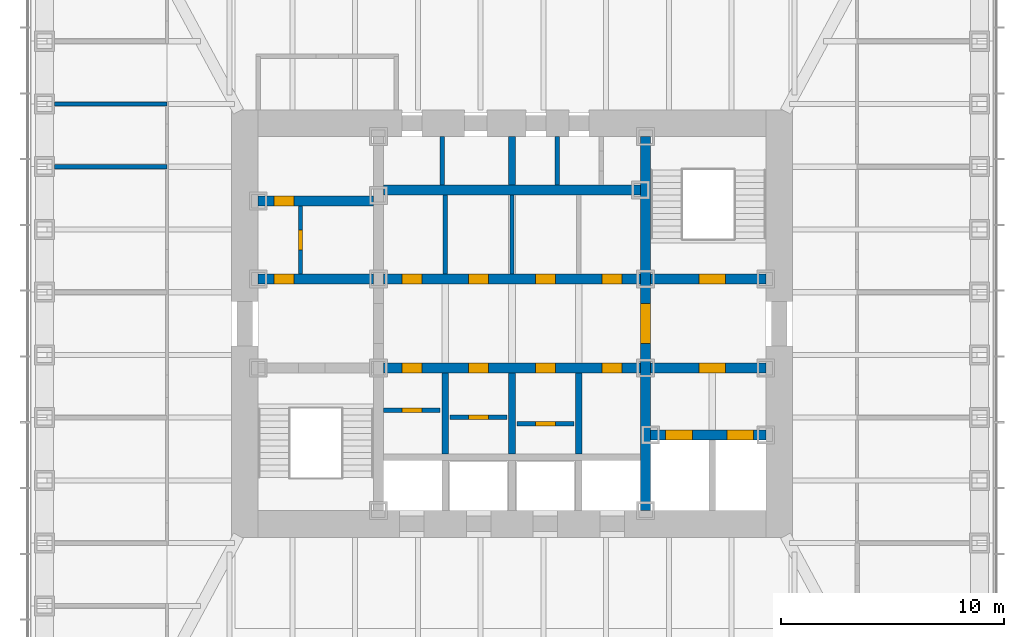
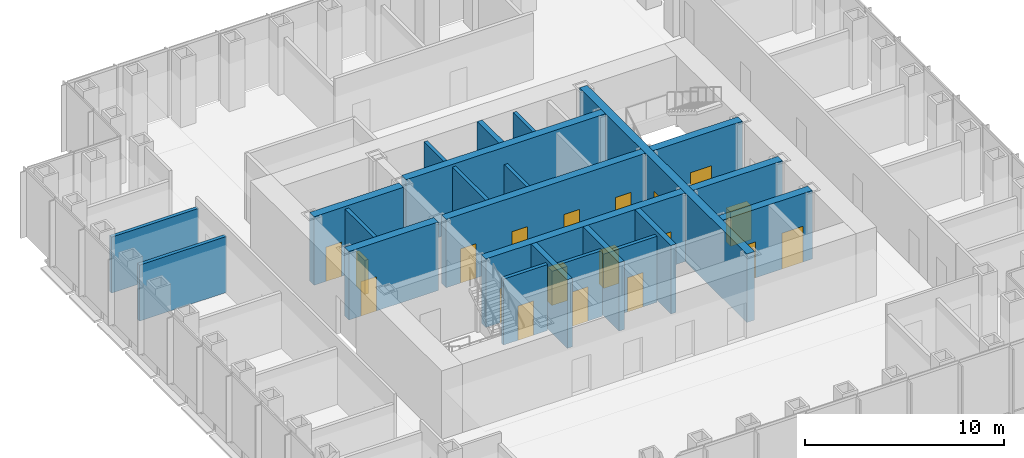
# One storey, part 9 of 17: 23 walls, 19 doors, 19 openings.
"""IFC4 building model written with IfcOpenShell, lengths in metres."""

from ifc_helpers import new_model, si_unit, direction, frame, frame_2d, origin, place, context, subcontext, project, spatial, rectangle, extrude, material, layer, layer_set, type_object, element, fill, save


model = new_model("IFC4")

# Units and contexts
model_context = context("Model", 3, precision=1e-05, world=origin(), true_north=direction((0.0, 1.0)))
body_context = subcontext(model_context, "Body", "Model", "MODEL_VIEW")
ifc_project = project(units=[si_unit("LENGTHUNIT", "METRE"), si_unit("AREAUNIT", "SQUARE_METRE"), si_unit("VOLUMEUNIT", "CUBIC_METRE"), si_unit("PLANEANGLEUNIT", "RADIAN"), si_unit("MASSUNIT", "GRAM", prefix="KILO")], contexts=[model_context])

# Site, building, storey
site_placement = place(None, origin())
site = spatial("IfcSite", under=ifc_project, at=site_placement, CompositionType="ELEMENT")
building_placement = place(site_placement, origin())
building = spatial("IfcBuilding", under=site, at=building_placement, Name="Daluyong Arena Tower", CompositionType="ELEMENT")
storey_placement = place(building_placement, frame((0.0, 0.0, 193.89990234375)))
storey = spatial("IfcBuildingStorey", under=building, at=storey_placement, Name="L43", CompositionType="ELEMENT", Elevation=193.89990234375)

# Wall, opening, door
ifc_material_1 = material(Name="Concrete fc' 45 MPa", Category="concrete")
ifc_layer_1 = layer(ifc_material_1, 0.449951171875)
ifc_layer_set_1 = layer_set([ifc_layer_1], Name="Concrete fc' 45 MPa")
wall_type_1 = type_object("IfcWallType", Name="Core inner wall 450", PredefinedType="SHEAR", material=ifc_layer_set_1)
wall_1_placement = place(storey_placement, frame((62.0, 71.60009765625, 0.0), z_axis=(0.0, 0.0, 1.0), x_axis=(0.0, 1.0, 0.0)))
wall_1 = element("IfcWall", 1, at=wall_1_placement, inside=storey, type_object=wall_type_1, Name="core inner wall at L43", PredefinedType="SHEAR", context=body_context, shape_type="SweptSolid", body=[
    extrude(rectangle(XDim=16.7998046875, YDim=0.449951171875, at=frame_2d((8.39990234375, 0.0))), origin(), (0.0, 0.0, 1.0), 4.2001953125),
])
opening_1_placement = place(wall_1_placement, frame((7.5, 0.0, 0.0)))
opening_1 = element("IfcOpeningElement", 2, at=opening_1_placement, cuts=wall_1, Name="Opening 43025", PredefinedType="OPENING", context=body_context, shape_type="SweptSolid", body=[
    extrude(rectangle(XDim=1.800048828125, YDim=2.39990234375, at=frame_2d((0.89990234375, 1.199951171875))), frame((0.0, 0.23486328125, 0.0), z_axis=(0.0, -1.0, 0.0), x_axis=(1.0, 0.0, 0.0)), (0.0, 0.0, 1.0), 0.469970703125),
])
ifc_material_2 = material(Name="Steel door, fire rated", Category="steel")
door_type_1 = type_object("IfcDoorType", Name="Lift lobby opening door 1800", OperationType="DOUBLE_DOOR_SINGLE_SWING", PredefinedType="DOOR", material=ifc_material_2)
door_1_placement = place(opening_1_placement, origin())
door_1 = element("IfcDoor", 3, at=door_1_placement, inside=storey, type_object=door_type_1, Name="lift lobby door east 43025", OperationType="DOUBLE_DOOR_SINGLE_SWING", OverallHeight=2.39990234375, OverallWidth=1.800048828125, PredefinedType="DOOR", context=body_context, shape_type="SweptSolid", body=[
    extrude(rectangle(XDim=1.800048828125, YDim=2.39990234375, at=frame_2d((0.89990234375, 1.199951171875))), frame((0.0, 0.224609375, 0.0), z_axis=(0.0, -1.0, 0.0), x_axis=(1.0, 0.0, 0.0)), (0.0, 0.0, 1.0), 0.449462890625),
])
fill(opening_1, door_1)

wall_2_placement = place(storey_placement, frame((44.60009765625, 82.0, 0.0), z_axis=(0.0, 0.0, 1.0), x_axis=(1.0, 0.0, 0.0)))
wall_2 = element("IfcWall", 4, at=wall_2_placement, inside=storey, type_object=wall_type_1, Name="core inner wall at L43", PredefinedType="SHEAR", context=body_context, shape_type="SweptSolid", body=[
    extrude(rectangle(XDim=5.1748046875, YDim=0.449951171875, at=frame_2d((2.58740234375, 0.0))), origin(), (0.0, 0.0, 1.0), 4.2001953125),
])
opening_2_placement = place(wall_2_placement, frame((0.699951171875, 0.0, 0.0)))
opening_2 = element("IfcOpeningElement", 5, at=opening_2_placement, cuts=wall_2, Name="Opening 43001", PredefinedType="OPENING", context=body_context, shape_type="SweptSolid", body=[
    extrude(rectangle(XDim=0.89990234375, YDim=2.10009765625, at=frame_2d((0.449951171875, 1.050048828125))), frame((0.0, 0.23486328125, 0.0), z_axis=(0.0, -1.0, 0.0), x_axis=(1.0, 0.0, 0.0)), (0.0, 0.0, 1.0), 0.469970703125),
])
ifc_material_3 = material(Name="Steel door, fire rated", Category="steel")
door_type_2 = type_object("IfcDoorType", Name="Core room door 900", OperationType="SINGLE_SWING_LEFT", PredefinedType="DOOR", material=ifc_material_3)
door_2_placement = place(opening_2_placement, origin())
door_2 = element("IfcDoor", 6, at=door_2_placement, inside=storey, type_object=door_type_2, Name="toilet lobby door 43001", OperationType="SINGLE_SWING_LEFT", OverallHeight=2.10009765625, OverallWidth=0.89990234375, PredefinedType="DOOR", context=body_context, shape_type="SweptSolid", body=[
    extrude(rectangle(XDim=0.89990234375, YDim=2.10009765625, at=frame_2d((0.449951171875, 1.050048828125))), frame((0.0, 0.224609375, 0.0), z_axis=(0.0, -1.0, 0.0), x_axis=(1.0, 0.0, 0.0)), (0.0, 0.0, 1.0), 0.449462890625),
])
fill(opening_2, door_2)

wall_3_placement = place(storey_placement, frame((44.60009765625, 85.5, 0.0), z_axis=(0.0, 0.0, 1.0), x_axis=(1.0, 0.0, 0.0)))
wall_3 = element("IfcWall", 7, at=wall_3_placement, inside=storey, type_object=wall_type_1, Name="core inner wall at L43", PredefinedType="SHEAR", context=body_context, shape_type="SweptSolid", body=[
    extrude(rectangle(XDim=5.1748046875, YDim=0.449951171875, at=frame_2d((2.58740234375, 0.0))), origin(), (0.0, 0.0, 1.0), 4.2001953125),
])
opening_3_placement = place(wall_3_placement, frame((0.699951171875, 0.0, 0.0)))
opening_3 = element("IfcOpeningElement", 8, at=opening_3_placement, cuts=wall_3, Name="Opening 43003", PredefinedType="OPENING", context=body_context, shape_type="SweptSolid", body=[
    extrude(rectangle(XDim=0.89990234375, YDim=2.10009765625, at=frame_2d((0.449951171875, 1.050048828125))), frame((0.0, 0.23486328125, 0.0), z_axis=(0.0, -1.0, 0.0), x_axis=(1.0, 0.0, 0.0)), (0.0, 0.0, 1.0), 0.469970703125),
])
ifc_material_4 = material(Name="Timber door", Category="wood")
door_type_3 = type_object("IfcDoorType", Name="Toilet door 900", OperationType="SINGLE_SWING_RIGHT", PredefinedType="DOOR", material=ifc_material_4)
door_3_placement = place(opening_3_placement, origin())
door_3 = element("IfcDoor", 9, at=door_3_placement, inside=storey, type_object=door_type_3, Name="female toilet door 43003", OperationType="SINGLE_SWING_RIGHT", OverallHeight=2.10009765625, OverallWidth=0.89990234375, PredefinedType="DOOR", context=body_context, shape_type="SweptSolid", body=[
    extrude(rectangle(XDim=0.89990234375, YDim=2.10009765625, at=frame_2d((0.449951171875, 1.050048828125))), frame((0.0, 0.224609375, 0.0), z_axis=(0.0, -1.0, 0.0), x_axis=(1.0, 0.0, 0.0)), (0.0, 0.0, 1.0), 0.449462890625),
])
fill(opening_3, door_3)

# Wall, openings, doors
wall_4_placement = place(storey_placement, frame((62.22509765625, 75.0, 0.0), z_axis=(0.0, 0.0, 1.0), x_axis=(1.0, 0.0, 0.0)))
wall_4 = element("IfcWall", 10, at=wall_4_placement, inside=storey, type_object=wall_type_1, Name="core inner wall at L43", PredefinedType="SHEAR", context=body_context, shape_type="SweptSolid", body=[
    extrude(rectangle(XDim=5.1748046875, YDim=0.449951171875, at=frame_2d((2.58740234375, 0.0))), origin(), (0.0, 0.0, 1.0), 4.2001953125),
])
opening_4_placement = place(wall_4_placement, frame((0.675048828125, 0.0, 0.0)))
opening_4 = element("IfcOpeningElement", 11, at=opening_4_placement, cuts=wall_4, Name="Opening 43031", PredefinedType="OPENING", context=body_context, shape_type="SweptSolid", body=[
    extrude(rectangle(XDim=1.199951171875, YDim=2.199951171875, at=frame_2d((0.60009765625, 1.10009765625))), frame((0.0, 0.23486328125, 0.0), z_axis=(0.0, -1.0, 0.0), x_axis=(1.0, 0.0, 0.0)), (0.0, 0.0, 1.0), 0.469970703125),
])
opening_5_placement = place(wall_4_placement, frame((3.425048828125, 0.0, 0.0)))
opening_5 = element("IfcOpeningElement", 12, at=opening_5_placement, cuts=wall_4, Name="Opening 43032", PredefinedType="OPENING", context=body_context, shape_type="SweptSolid", body=[
    extrude(rectangle(XDim=1.199951171875, YDim=2.199951171875, at=frame_2d((0.60009765625, 1.10009765625))), frame((0.0, 0.23486328125, 0.0), z_axis=(0.0, -1.0, 0.0), x_axis=(1.0, 0.0, 0.0)), (0.0, 0.0, 1.0), 0.469970703125),
])
ifc_material_5 = material(Name="Steel door, fire rated", Category="steel")
door_type_4 = type_object("IfcDoorType", Name="Firefighting lift landing door 1200", OperationType="SLIDING_TO_LEFT", PredefinedType="DOOR", material=ifc_material_5)
door_4_placement = place(opening_4_placement, origin())
door_4 = element("IfcDoor", 13, at=door_4_placement, inside=storey, type_object=door_type_4, Name="firefighting lift landing door F1 43031", OperationType="SLIDING_TO_LEFT", OverallHeight=2.199951171875, OverallWidth=1.199951171875, PredefinedType="DOOR", context=body_context, shape_type="SweptSolid", body=[
    extrude(rectangle(XDim=1.199951171875, YDim=2.199951171875, at=frame_2d((0.60009765625, 1.10009765625))), frame((0.0, 0.224609375, 0.0), z_axis=(0.0, -1.0, 0.0), x_axis=(1.0, 0.0, 0.0)), (0.0, 0.0, 1.0), 0.449462890625),
])
fill(opening_4, door_4)
door_5_placement = place(opening_5_placement, origin())
door_5 = element("IfcDoor", 14, at=door_5_placement, inside=storey, type_object=door_type_4, Name="firefighting lift landing door F2 43032", OperationType="SLIDING_TO_LEFT", OverallHeight=2.199951171875, OverallWidth=1.199951171875, PredefinedType="DOOR", context=body_context, shape_type="SweptSolid", body=[
    extrude(rectangle(XDim=1.199951171875, YDim=2.199951171875, at=frame_2d((0.60009765625, 1.10009765625))), frame((0.0, 0.224609375, 0.0), z_axis=(0.0, -1.0, 0.0), x_axis=(1.0, 0.0, 0.0)), (0.0, 0.0, 1.0), 0.449462890625),
])
fill(opening_5, door_5)

# Wall, opening, door
wall_5_placement = place(storey_placement, frame((62.22509765625, 78.0, 0.0), z_axis=(0.0, 0.0, 1.0), x_axis=(1.0, 0.0, 0.0)))
wall_5 = element("IfcWall", 15, at=wall_5_placement, inside=storey, type_object=wall_type_1, Name="core inner wall at L43", PredefinedType="SHEAR", context=body_context, shape_type="SweptSolid", body=[
    extrude(rectangle(XDim=5.1748046875, YDim=0.449951171875, at=frame_2d((2.58740234375, 0.0))), origin(), (0.0, 0.0, 1.0), 4.2001953125),
])
opening_6_placement = place(wall_5_placement, frame((2.175048828125, 0.0, 0.0)))
opening_6 = element("IfcOpeningElement", 16, at=opening_6_placement, cuts=wall_5, Name="Opening 43026", PredefinedType="OPENING", context=body_context, shape_type="SweptSolid", body=[
    extrude(rectangle(XDim=1.199951171875, YDim=2.10009765625, at=frame_2d((0.60009765625, 1.050048828125))), frame((0.0, 0.23486328125, 0.0), z_axis=(0.0, -1.0, 0.0), x_axis=(1.0, 0.0, 0.0)), (0.0, 0.0, 1.0), 0.469970703125),
])
ifc_material_6 = material(Name="Steel door, fire rated", Category="steel")
door_type_5 = type_object("IfcDoorType", Name="Firefighting lobby door 1200", OperationType="SINGLE_SWING_RIGHT", PredefinedType="DOOR", material=ifc_material_6)
door_6_placement = place(opening_6_placement, origin())
door_6 = element("IfcDoor", 17, at=door_6_placement, inside=storey, type_object=door_type_5, Name="firefighting lobby door 43026", OperationType="SINGLE_SWING_RIGHT", OverallHeight=2.10009765625, OverallWidth=1.199951171875, PredefinedType="DOOR", context=body_context, shape_type="SweptSolid", body=[
    extrude(rectangle(XDim=1.199951171875, YDim=2.10009765625, at=frame_2d((0.60009765625, 1.050048828125))), frame((0.0, 0.224609375, 0.0), z_axis=(0.0, -1.0, 0.0), x_axis=(1.0, 0.0, 0.0)), (0.0, 0.0, 1.0), 0.449462890625),
])
fill(opening_6, door_6)

wall_6_placement = place(storey_placement, frame((62.22509765625, 82.0, 0.0), z_axis=(0.0, 0.0, 1.0), x_axis=(1.0, 0.0, 0.0)))
wall_6 = element("IfcWall", 18, at=wall_6_placement, inside=storey, type_object=wall_type_1, Name="core inner wall at L43", PredefinedType="SHEAR", context=body_context, shape_type="SweptSolid", body=[
    extrude(rectangle(XDim=5.1748046875, YDim=0.449951171875, at=frame_2d((2.58740234375, 0.0))), origin(), (0.0, 0.0, 1.0), 4.2001953125),
])
opening_7_placement = place(wall_6_placement, frame((2.175048828125, 0.0, 0.0)))
opening_7 = element("IfcOpeningElement", 19, at=opening_7_placement, cuts=wall_6, Name="Opening 43021", PredefinedType="OPENING", context=body_context, shape_type="SweptSolid", body=[
    extrude(rectangle(XDim=1.199951171875, YDim=2.10009765625, at=frame_2d((0.60009765625, 1.050048828125))), frame((0.0, 0.23486328125, 0.0), z_axis=(0.0, -1.0, 0.0), x_axis=(1.0, 0.0, 0.0)), (0.0, 0.0, 1.0), 0.469970703125),
])
ifc_material_7 = material(Name="Steel door, fire rated", Category="steel")
door_type_6 = type_object("IfcDoorType", Name="Stair door 1200", OperationType="SINGLE_SWING_LEFT", PredefinedType="DOOR", material=ifc_material_7)
door_7_placement = place(opening_7_placement, origin())
door_7 = element("IfcDoor", 20, at=door_7_placement, inside=storey, type_object=door_type_6, Name="stair B door 43021", OperationType="SINGLE_SWING_LEFT", OverallHeight=2.10009765625, OverallWidth=1.199951171875, PredefinedType="DOOR", context=body_context, shape_type="SweptSolid", body=[
    extrude(rectangle(XDim=1.199951171875, YDim=2.10009765625, at=frame_2d((0.60009765625, 1.050048828125))), frame((0.0, 0.224609375, 0.0), z_axis=(0.0, -1.0, 0.0), x_axis=(1.0, 0.0, 0.0)), (0.0, 0.0, 1.0), 0.449462890625),
])
fill(opening_7, door_7)

# Wall, openings, doors
wall_7_placement = place(storey_placement, frame((50.22509765625, 78.0, 0.0), z_axis=(0.0, 0.0, 1.0), x_axis=(1.0, 0.0, 0.0)))
wall_7 = element("IfcWall", 21, at=wall_7_placement, inside=storey, type_object=wall_type_1, Name="core inner wall at L43", PredefinedType="SHEAR", context=body_context, shape_type="SweptSolid", body=[
    extrude(rectangle(XDim=11.5498046875, YDim=0.449951171875, at=frame_2d((5.77490234375, 0.0))), origin(), (0.0, 0.0, 1.0), 4.2001953125),
])
opening_8_placement = place(wall_7_placement, frame((0.824951171875, 0.0, 0.0)))
opening_8 = element("IfcOpeningElement", 22, at=opening_8_placement, cuts=wall_7, Name="Opening 43009", PredefinedType="OPENING", context=body_context, shape_type="SweptSolid", body=[
    extrude(rectangle(XDim=0.89990234375, YDim=2.10009765625, at=frame_2d((0.449951171875, 1.050048828125))), frame((0.0, 0.23486328125, 0.0), z_axis=(0.0, -1.0, 0.0), x_axis=(1.0, 0.0, 0.0)), (0.0, 0.0, 1.0), 0.469970703125),
])
opening_9_placement = place(wall_7_placement, frame((3.824951171875, 0.0, 0.0)))
opening_9 = element("IfcOpeningElement", 23, at=opening_9_placement, cuts=wall_7, Name="Opening 43011", PredefinedType="OPENING", context=body_context, shape_type="SweptSolid", body=[
    extrude(rectangle(XDim=0.89990234375, YDim=2.10009765625, at=frame_2d((0.449951171875, 1.050048828125))), frame((0.0, 0.23486328125, 0.0), z_axis=(0.0, -1.0, 0.0), x_axis=(1.0, 0.0, 0.0)), (0.0, 0.0, 1.0), 0.469970703125),
])
opening_10_placement = place(wall_7_placement, frame((6.824951171875, 0.0, 0.0)))
opening_10 = element("IfcOpeningElement", 24, at=opening_10_placement, cuts=wall_7, Name="Opening 43013", PredefinedType="OPENING", context=body_context, shape_type="SweptSolid", body=[
    extrude(rectangle(XDim=0.89990234375, YDim=2.10009765625, at=frame_2d((0.449951171875, 1.050048828125))), frame((0.0, 0.23486328125, 0.0), z_axis=(0.0, -1.0, 0.0), x_axis=(1.0, 0.0, 0.0)), (0.0, 0.0, 1.0), 0.469970703125),
])
opening_11_placement = place(wall_7_placement, frame((9.824951171875, 0.0, 0.0)))
opening_11 = element("IfcOpeningElement", 25, at=opening_11_placement, cuts=wall_7, Name="Opening 43015", PredefinedType="OPENING", context=body_context, shape_type="SweptSolid", body=[
    extrude(rectangle(XDim=0.89990234375, YDim=2.10009765625, at=frame_2d((0.449951171875, 1.050048828125))), frame((0.0, 0.23486328125, 0.0), z_axis=(0.0, -1.0, 0.0), x_axis=(1.0, 0.0, 0.0)), (0.0, 0.0, 1.0), 0.469970703125),
])
door_8_placement = place(opening_11_placement, origin())
door_8 = element("IfcDoor", 26, at=door_8_placement, inside=storey, type_object=door_type_2, Name="mail room door 43015", OperationType="SINGLE_SWING_LEFT", OverallHeight=2.10009765625, OverallWidth=0.89990234375, PredefinedType="DOOR", context=body_context, shape_type="SweptSolid", body=[
    extrude(rectangle(XDim=0.89990234375, YDim=2.10009765625, at=frame_2d((0.449951171875, 1.050048828125))), frame((0.0, 0.224609375, 0.0), z_axis=(0.0, -1.0, 0.0), x_axis=(1.0, 0.0, 0.0)), (0.0, 0.0, 1.0), 0.449462890625),
])
fill(opening_11, door_8)
ifc_material_8 = material(Name="Steel door, fire rated", Category="steel")
door_type_7 = type_object("IfcDoorType", Name="Core store door 900", OperationType="SINGLE_SWING_LEFT", PredefinedType="DOOR", material=ifc_material_8)
door_9_placement = place(opening_8_placement, origin())
door_9 = element("IfcDoor", 27, at=door_9_placement, inside=storey, type_object=door_type_7, Name="facilities store door 43009", OperationType="SINGLE_SWING_LEFT", OverallHeight=2.10009765625, OverallWidth=0.89990234375, PredefinedType="DOOR", context=body_context, shape_type="SweptSolid", body=[
    extrude(rectangle(XDim=0.89990234375, YDim=2.10009765625, at=frame_2d((0.449951171875, 1.050048828125))), frame((0.0, 0.224609375, 0.0), z_axis=(0.0, -1.0, 0.0), x_axis=(1.0, 0.0, 0.0)), (0.0, 0.0, 1.0), 0.449462890625),
])
fill(opening_8, door_9)
door_10_placement = place(opening_9_placement, origin())
door_10 = element("IfcDoor", 28, at=door_10_placement, inside=storey, type_object=door_type_7, Name="furniture store door 43011", OperationType="SINGLE_SWING_LEFT", OverallHeight=2.10009765625, OverallWidth=0.89990234375, PredefinedType="DOOR", context=body_context, shape_type="SweptSolid", body=[
    extrude(rectangle(XDim=0.89990234375, YDim=2.10009765625, at=frame_2d((0.449951171875, 1.050048828125))), frame((0.0, 0.224609375, 0.0), z_axis=(0.0, -1.0, 0.0), x_axis=(1.0, 0.0, 0.0)), (0.0, 0.0, 1.0), 0.449462890625),
])
fill(opening_9, door_10)
door_11_placement = place(opening_10_placement, origin())
door_11 = element("IfcDoor", 29, at=door_11_placement, inside=storey, type_object=door_type_7, Name="stationery store door 43013", OperationType="SINGLE_SWING_LEFT", OverallHeight=2.10009765625, OverallWidth=0.89990234375, PredefinedType="DOOR", context=body_context, shape_type="SweptSolid", body=[
    extrude(rectangle(XDim=0.89990234375, YDim=2.10009765625, at=frame_2d((0.449951171875, 1.050048828125))), frame((0.0, 0.224609375, 0.0), z_axis=(0.0, -1.0, 0.0), x_axis=(1.0, 0.0, 0.0)), (0.0, 0.0, 1.0), 0.449462890625),
])
fill(opening_10, door_11)

wall_8_placement = place(storey_placement, frame((50.22509765625, 82.0, 0.0), z_axis=(0.0, 0.0, 1.0), x_axis=(1.0, 0.0, 0.0)))
wall_8 = element("IfcWall", 30, at=wall_8_placement, inside=storey, type_object=wall_type_1, Name="core inner wall at L43", PredefinedType="SHEAR", context=body_context, shape_type="SweptSolid", body=[
    extrude(rectangle(XDim=11.5498046875, YDim=0.449951171875, at=frame_2d((5.77490234375, 0.0))), origin(), (0.0, 0.0, 1.0), 4.2001953125),
])
opening_12_placement = place(wall_8_placement, frame((0.824951171875, 0.0, 0.0)))
opening_12 = element("IfcOpeningElement", 31, at=opening_12_placement, cuts=wall_8, Name="Opening 43016", PredefinedType="OPENING", context=body_context, shape_type="SweptSolid", body=[
    extrude(rectangle(XDim=0.89990234375, YDim=2.10009765625, at=frame_2d((0.449951171875, 1.050048828125))), frame((0.0, 0.23486328125, 0.0), z_axis=(0.0, -1.0, 0.0), x_axis=(1.0, 0.0, 0.0)), (0.0, 0.0, 1.0), 0.469970703125),
])
opening_13_placement = place(wall_8_placement, frame((3.824951171875, 0.0, 0.0)))
opening_13 = element("IfcOpeningElement", 32, at=opening_13_placement, cuts=wall_8, Name="Opening 43017", PredefinedType="OPENING", context=body_context, shape_type="SweptSolid", body=[
    extrude(rectangle(XDim=0.89990234375, YDim=2.10009765625, at=frame_2d((0.449951171875, 1.050048828125))), frame((0.0, 0.23486328125, 0.0), z_axis=(0.0, -1.0, 0.0), x_axis=(1.0, 0.0, 0.0)), (0.0, 0.0, 1.0), 0.469970703125),
])
opening_14_placement = place(wall_8_placement, frame((6.824951171875, 0.0, 0.0)))
opening_14 = element("IfcOpeningElement", 33, at=opening_14_placement, cuts=wall_8, Name="Opening 43018", PredefinedType="OPENING", context=body_context, shape_type="SweptSolid", body=[
    extrude(rectangle(XDim=0.89990234375, YDim=2.10009765625, at=frame_2d((0.449951171875, 1.050048828125))), frame((0.0, 0.23486328125, 0.0), z_axis=(0.0, -1.0, 0.0), x_axis=(1.0, 0.0, 0.0)), (0.0, 0.0, 1.0), 0.469970703125),
])
opening_15_placement = place(wall_8_placement, frame((9.824951171875, 0.0, 0.0)))
opening_15 = element("IfcOpeningElement", 34, at=opening_15_placement, cuts=wall_8, Name="Opening 43019", PredefinedType="OPENING", context=body_context, shape_type="SweptSolid", body=[
    extrude(rectangle(XDim=0.89990234375, YDim=2.10009765625, at=frame_2d((0.449951171875, 1.050048828125))), frame((0.0, 0.23486328125, 0.0), z_axis=(0.0, -1.0, 0.0), x_axis=(1.0, 0.0, 0.0)), (0.0, 0.0, 1.0), 0.469970703125),
])
door_12_placement = place(opening_12_placement, origin())
door_12 = element("IfcDoor", 35, at=door_12_placement, inside=storey, type_object=door_type_2, Name="print room door 43016", OperationType="SINGLE_SWING_LEFT", OverallHeight=2.10009765625, OverallWidth=0.89990234375, PredefinedType="DOOR", context=body_context, shape_type="SweptSolid", body=[
    extrude(rectangle(XDim=0.89990234375, YDim=2.10009765625, at=frame_2d((0.449951171875, 1.050048828125))), frame((0.0, 0.224609375, 0.0), z_axis=(0.0, -1.0, 0.0), x_axis=(1.0, 0.0, 0.0)), (0.0, 0.0, 1.0), 0.449462890625),
])
fill(opening_12, door_12)
door_13_placement = place(opening_13_placement, origin())
door_13 = element("IfcDoor", 36, at=door_13_placement, inside=storey, type_object=door_type_2, Name="parcel room door 43017", OperationType="SINGLE_SWING_LEFT", OverallHeight=2.10009765625, OverallWidth=0.89990234375, PredefinedType="DOOR", context=body_context, shape_type="SweptSolid", body=[
    extrude(rectangle(XDim=0.89990234375, YDim=2.10009765625, at=frame_2d((0.449951171875, 1.050048828125))), frame((0.0, 0.224609375, 0.0), z_axis=(0.0, -1.0, 0.0), x_axis=(1.0, 0.0, 0.0)), (0.0, 0.0, 1.0), 0.449462890625),
])
fill(opening_13, door_13)
door_14_placement = place(opening_15_placement, origin())
door_14 = element("IfcDoor", 37, at=door_14_placement, inside=storey, type_object=door_type_2, Name="tea point door 43019", OperationType="SINGLE_SWING_LEFT", OverallHeight=2.10009765625, OverallWidth=0.89990234375, PredefinedType="DOOR", context=body_context, shape_type="SweptSolid", body=[
    extrude(rectangle(XDim=0.89990234375, YDim=2.10009765625, at=frame_2d((0.449951171875, 1.050048828125))), frame((0.0, 0.224609375, 0.0), z_axis=(0.0, -1.0, 0.0), x_axis=(1.0, 0.0, 0.0)), (0.0, 0.0, 1.0), 0.449462890625),
])
fill(opening_15, door_14)
door_15_placement = place(opening_14_placement, origin())
door_15 = element("IfcDoor", 38, at=door_15_placement, inside=storey, type_object=door_type_7, Name="tenant store door 43018", OperationType="SINGLE_SWING_LEFT", OverallHeight=2.10009765625, OverallWidth=0.89990234375, PredefinedType="DOOR", context=body_context, shape_type="SweptSolid", body=[
    extrude(rectangle(XDim=0.89990234375, YDim=2.10009765625, at=frame_2d((0.449951171875, 1.050048828125))), frame((0.0, 0.224609375, 0.0), z_axis=(0.0, -1.0, 0.0), x_axis=(1.0, 0.0, 0.0)), (0.0, 0.0, 1.0), 0.449462890625),
])
fill(opening_14, door_15)

# Wall
wall_9_placement = place(storey_placement, frame((50.22509765625, 86.0, 0.0), z_axis=(0.0, 0.0, 1.0), x_axis=(1.0, 0.0, 0.0)))
element("IfcWall", 39, at=wall_9_placement, inside=storey, type_object=wall_type_1, Name="core inner wall at L43", PredefinedType="SHEAR", context=body_context, shape_type="SweptSolid", body=[
    extrude(rectangle(XDim=11.5498046875, YDim=0.449951171875, at=frame_2d((5.77490234375, 0.0))), origin(), (0.0, 0.0, 1.0), 4.2001953125),
])

# Wall, opening, door
ifc_material_9 = material(Name="Concrete block partition, fire rated", Category="concrete")
ifc_layer_2 = layer(ifc_material_9, 0.199951171875)
ifc_layer_set_2 = layer_set([ifc_layer_2], Name="Concrete block partition, fire rated")
wall_type_2 = type_object("IfcWallType", Name="Fire-rated partition 200", PredefinedType="PARTITIONING", material=ifc_layer_set_2)
wall_10_placement = place(storey_placement, frame((46.5, 82.22509765625, 0.0), z_axis=(0.0, 0.0, 1.0), x_axis=(0.0, 1.0, 0.0)))
wall_10 = element("IfcWall", 40, at=wall_10_placement, inside=storey, type_object=wall_type_2, Name="toilet lobby partition at L43", PredefinedType="PARTITIONING", context=body_context, shape_type="SweptSolid", body=[
    extrude(rectangle(XDim=3.0498046875, YDim=0.199951171875, at=frame_2d((1.52490234375, 0.0))), origin(), (0.0, 0.0, 1.0), 4.0400390625),
])
opening_16_placement = place(wall_10_placement, frame((1.074951171875, 0.0, 0.0)))
opening_16 = element("IfcOpeningElement", 41, at=opening_16_placement, cuts=wall_10, Name="Opening 43002", PredefinedType="OPENING", context=body_context, shape_type="SweptSolid", body=[
    extrude(rectangle(XDim=0.89990234375, YDim=2.10009765625, at=frame_2d((0.449951171875, 1.050048828125))), frame((0.0, 0.10986328125, 0.0), z_axis=(0.0, -1.0, 0.0), x_axis=(1.0, 0.0, 0.0)), (0.0, 0.0, 1.0), 0.219970703125),
])
door_16_placement = place(opening_16_placement, origin())
door_16 = element("IfcDoor", 42, at=door_16_placement, inside=storey, type_object=door_type_3, Name="male toilet door 43002", OperationType="SINGLE_SWING_RIGHT", OverallHeight=2.10009765625, OverallWidth=0.89990234375, PredefinedType="DOOR", context=body_context, shape_type="SweptSolid", body=[
    extrude(rectangle(XDim=0.89990234375, YDim=2.10009765625, at=frame_2d((0.449951171875, 1.050048828125))), frame((0.0, 0.099609375, 0.0), z_axis=(0.0, -1.0, 0.0), x_axis=(1.0, 0.0, 0.0)), (0.0, 0.0, 1.0), 0.199462890625),
])
fill(opening_16, door_16)

# Walls
for number, where, z_axis, x_axis, name in (
    (43, (52.875, 86.22509765625, 0.0), (0.0, 0.0, 1.0), (0.0, 1.0, 0.0), "core room partition at L43"),
    (44, (58.02490234375, 86.22509765625, 0.0), (0.0, 0.0, 1.0), (0.0, 1.0, 0.0), "core room partition at L43"),
):
    element("IfcWall", number, at=place(storey_placement, frame(where, z_axis=z_axis, x_axis=x_axis)), inside=storey, type_object=wall_type_2, Name=name, PredefinedType="PARTITIONING", context=body_context, shape_type="SweptSolid", body=[
        extrude(rectangle(XDim=2.1748046875, YDim=0.199951171875, at=frame_2d((1.08740234375, 0.0))), origin(), (0.0, 0.0, 1.0), 4.0400390625),
    ])

# Wall, opening, door
wall_11_placement = place(storey_placement, frame((50.22509765625, 76.10009765625, 0.0), z_axis=(0.0, 0.0, 1.0), x_axis=(1.0, 0.0, 0.0)))
wall_11 = element("IfcWall", 45, at=wall_11_placement, inside=storey, type_object=wall_type_2, Name="back store partition at L43", PredefinedType="PARTITIONING", context=body_context, shape_type="SweptSolid", body=[
    extrude(rectangle(XDim=2.5498046875, YDim=0.199951171875, at=frame_2d((1.27490234375, 0.0))), origin(), (0.0, 0.0, 1.0), 4.0400390625),
])
opening_17_placement = place(wall_11_placement, frame((0.824951171875, 0.0, 0.0)))
opening_17 = element("IfcOpeningElement", 46, at=opening_17_placement, cuts=wall_11, Name="Opening 43010", PredefinedType="OPENING", context=body_context, shape_type="SweptSolid", body=[
    extrude(rectangle(XDim=0.89990234375, YDim=2.10009765625, at=frame_2d((0.449951171875, 1.050048828125))), frame((0.0, 0.10986328125, 0.0), z_axis=(0.0, -1.0, 0.0), x_axis=(1.0, 0.0, 0.0)), (0.0, 0.0, 1.0), 0.219970703125),
])
door_17_placement = place(opening_17_placement, origin())
door_17 = element("IfcDoor", 47, at=door_17_placement, inside=storey, type_object=door_type_7, Name="archive store door 43010", OperationType="SINGLE_SWING_LEFT", OverallHeight=2.10009765625, OverallWidth=0.89990234375, PredefinedType="DOOR", context=body_context, shape_type="SweptSolid", body=[
    extrude(rectangle(XDim=0.89990234375, YDim=2.10009765625, at=frame_2d((0.449951171875, 1.050048828125))), frame((0.0, 0.099609375, 0.0), z_axis=(0.0, -1.0, 0.0), x_axis=(1.0, 0.0, 0.0)), (0.0, 0.0, 1.0), 0.199462890625),
])
fill(opening_17, door_17)

wall_12_placement = place(storey_placement, frame((53.22509765625, 75.800048828125, 0.0), z_axis=(0.0, 0.0, 1.0), x_axis=(1.0, 0.0, 0.0)))
wall_12 = element("IfcWall", 48, at=wall_12_placement, inside=storey, type_object=wall_type_2, Name="back store partition at L43", PredefinedType="PARTITIONING", context=body_context, shape_type="SweptSolid", body=[
    extrude(rectangle(XDim=2.5498046875, YDim=0.199951171875, at=frame_2d((1.27490234375, 0.0))), origin(), (0.0, 0.0, 1.0), 4.0400390625),
])
opening_18_placement = place(wall_12_placement, frame((0.824951171875, 0.0, 0.0)))
opening_18 = element("IfcOpeningElement", 49, at=opening_18_placement, cuts=wall_12, Name="Opening 43012", PredefinedType="OPENING", context=body_context, shape_type="SweptSolid", body=[
    extrude(rectangle(XDim=0.89990234375, YDim=2.10009765625, at=frame_2d((0.449951171875, 1.050048828125))), frame((0.0, 0.10986328125, 0.0), z_axis=(0.0, -1.0, 0.0), x_axis=(1.0, 0.0, 0.0)), (0.0, 0.0, 1.0), 0.219970703125),
])
door_18_placement = place(opening_18_placement, origin())
door_18 = element("IfcDoor", 50, at=door_18_placement, inside=storey, type_object=door_type_7, Name="records store door 43012", OperationType="SINGLE_SWING_LEFT", OverallHeight=2.10009765625, OverallWidth=0.89990234375, PredefinedType="DOOR", context=body_context, shape_type="SweptSolid", body=[
    extrude(rectangle(XDim=0.89990234375, YDim=2.10009765625, at=frame_2d((0.449951171875, 1.050048828125))), frame((0.0, 0.099609375, 0.0), z_axis=(0.0, -1.0, 0.0), x_axis=(1.0, 0.0, 0.0)), (0.0, 0.0, 1.0), 0.199462890625),
])
fill(opening_18, door_18)

wall_13_placement = place(storey_placement, frame((56.22509765625, 75.5, 0.0), z_axis=(0.0, 0.0, 1.0), x_axis=(1.0, 0.0, 0.0)))
wall_13 = element("IfcWall", 51, at=wall_13_placement, inside=storey, type_object=wall_type_2, Name="back store partition at L43", PredefinedType="PARTITIONING", context=body_context, shape_type="SweptSolid", body=[
    extrude(rectangle(XDim=2.5498046875, YDim=0.199951171875, at=frame_2d((1.27490234375, 0.0))), origin(), (0.0, 0.0, 1.0), 4.0400390625),
])
opening_19_placement = place(wall_13_placement, frame((0.824951171875, 0.0, 0.0)))
opening_19 = element("IfcOpeningElement", 52, at=opening_19_placement, cuts=wall_13, Name="Opening 43014", PredefinedType="OPENING", context=body_context, shape_type="SweptSolid", body=[
    extrude(rectangle(XDim=0.89990234375, YDim=2.10009765625, at=frame_2d((0.449951171875, 1.050048828125))), frame((0.0, 0.10986328125, 0.0), z_axis=(0.0, -1.0, 0.0), x_axis=(1.0, 0.0, 0.0)), (0.0, 0.0, 1.0), 0.219970703125),
])
door_19_placement = place(opening_19_placement, origin())
door_19 = element("IfcDoor", 53, at=door_19_placement, inside=storey, type_object=door_type_7, Name="equipment store door 43014", OperationType="SINGLE_SWING_LEFT", OverallHeight=2.10009765625, OverallWidth=0.89990234375, PredefinedType="DOOR", context=body_context, shape_type="SweptSolid", body=[
    extrude(rectangle(XDim=0.89990234375, YDim=2.10009765625, at=frame_2d((0.449951171875, 1.050048828125))), frame((0.0, 0.099609375, 0.0), z_axis=(0.0, -1.0, 0.0), x_axis=(1.0, 0.0, 0.0)), (0.0, 0.0, 1.0), 0.199462890625),
])
fill(opening_19, door_19)

# Walls
wall_14_placement = place(storey_placement, frame((53.0, 82.22509765625, 0.0), z_axis=(0.0, 0.0, 1.0), x_axis=(0.0, 1.0, 0.0)))
element("IfcWall", 54, at=wall_14_placement, inside=storey, type_object=wall_type_2, Name="core room partition at L43", PredefinedType="PARTITIONING", context=body_context, shape_type="SweptSolid", body=[
    extrude(rectangle(XDim=3.5498046875, YDim=0.199951171875, at=frame_2d((1.77490234375, 0.0))), origin(), (0.0, 0.0, 1.0), 4.0400390625),
])
wall_15_placement = place(storey_placement, frame((56.0, 82.22509765625, 0.0), z_axis=(0.0, 0.0, 1.0), x_axis=(0.0, 1.0, 0.0)))
element("IfcWall", 55, at=wall_15_placement, inside=storey, type_object=wall_type_2, Name="core room partition at L43", PredefinedType="PARTITIONING", context=body_context, shape_type="SweptSolid", body=[
    extrude(rectangle(XDim=3.5498046875, YDim=0.199951171875, at=frame_2d((1.77490234375, 0.0))), origin(), (0.0, 0.0, 1.0), 3.14013671875),
])
ifc_material_10 = material(Name="Concrete fc' 45 MPa", Category="concrete")
ifc_layer_3 = layer(ifc_material_10, 0.300048828125)
ifc_layer_set_3 = layer_set([ifc_layer_3], Name="Concrete fc' 45 MPa")
wall_type_3 = type_object("IfcWallType", Name="Lift shaft wall 300", PredefinedType="SHEAR", material=ifc_layer_set_3)
for number, where, z_axis, x_axis, name in (
    (56, (53.0, 74.14990234375, 0.0), (0.0, 0.0, 1.0), (0.0, 1.0, 0.0), "lift shaft wall at L43"),
    (57, (56.0, 74.14990234375, 0.0), (0.0, 0.0, 1.0), (0.0, 1.0, 0.0), "lift shaft wall at L43"),
    (58, (59.0, 74.14990234375, 0.0), (0.0, 0.0, 1.0), (0.0, 1.0, 0.0), "lift shaft wall at L43"),
):
    element("IfcWall", number, at=place(storey_placement, frame(where, z_axis=z_axis, x_axis=x_axis)), inside=storey, type_object=wall_type_3, Name=name, PredefinedType="SHEAR", context=body_context, shape_type="SweptSolid", body=[
        extrude(rectangle(XDim=3.625, YDim=0.300048828125, at=frame_2d((1.8125, 0.0))), origin(), (0.0, 0.0, 1.0), 4.2001953125),
    ])
wall_16_placement = place(storey_placement, frame((56.0, 86.22509765625, 0.0), z_axis=(0.0, 0.0, 1.0), x_axis=(0.0, 1.0, 0.0)))
element("IfcWall", 59, at=wall_16_placement, inside=storey, type_object=wall_type_3, Name="lift shaft wall at L43", PredefinedType="SHEAR", context=body_context, shape_type="SweptSolid", body=[
    extrude(rectangle(XDim=2.1748046875, YDim=0.300048828125, at=frame_2d((1.08740234375, 0.0))), origin(), (0.0, 0.0, 1.0), 4.2001953125),
])
ifc_material_11 = material(Name="Concrete block partition", Category="concrete")
ifc_layer_4 = layer(ifc_material_11, 0.199951171875)
ifc_layer_set_4 = layer_set([ifc_layer_4], Name="Concrete block partition")
wall_type_4 = type_object("IfcWallType", Name="Partition 200", PredefinedType="PARTITIONING", material=ifc_layer_set_4)
for number, where, z_axis, x_axis, name in (
    (60, (35.449951171875, 87.04541015625, 0.0), (0.0, 0.0, 1.0), (1.0, 0.0, 0.0), "partition at L43"),
    (61, (35.449951171875, 89.863525390625, 0.0), (0.0, 0.0, 1.0), (1.0, 0.0, 0.0), "partition at L43"),
):
    element("IfcWall", number, at=place(storey_placement, frame(where, z_axis=z_axis, x_axis=x_axis)), inside=storey, type_object=wall_type_4, Name=name, PredefinedType="PARTITIONING", context=body_context, shape_type="SweptSolid", body=[
        extrude(rectangle(XDim=5.050048828125, YDim=0.199951171875, at=frame_2d((2.52490234375, 0.0))), origin(), (0.0, 0.0, 1.0), 3.427978515625),
    ])

save(model, "model.ifc")
